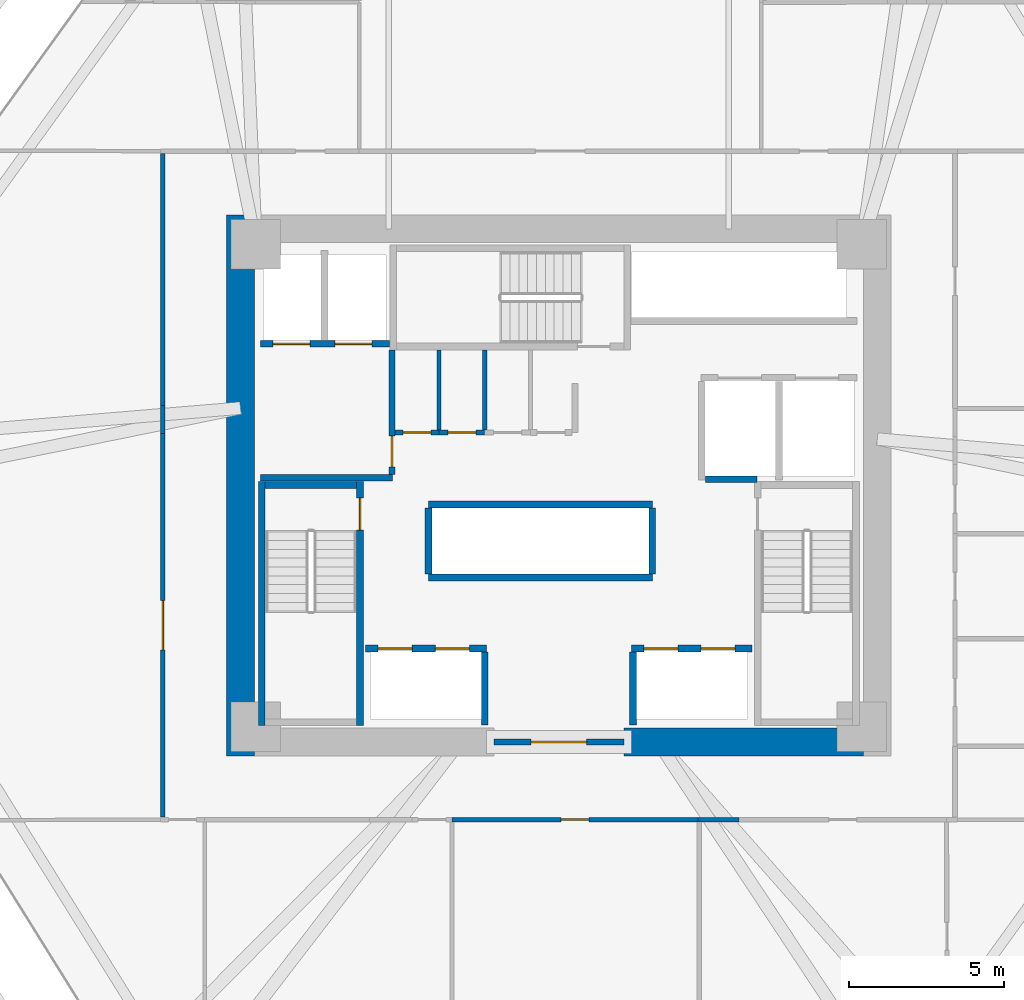
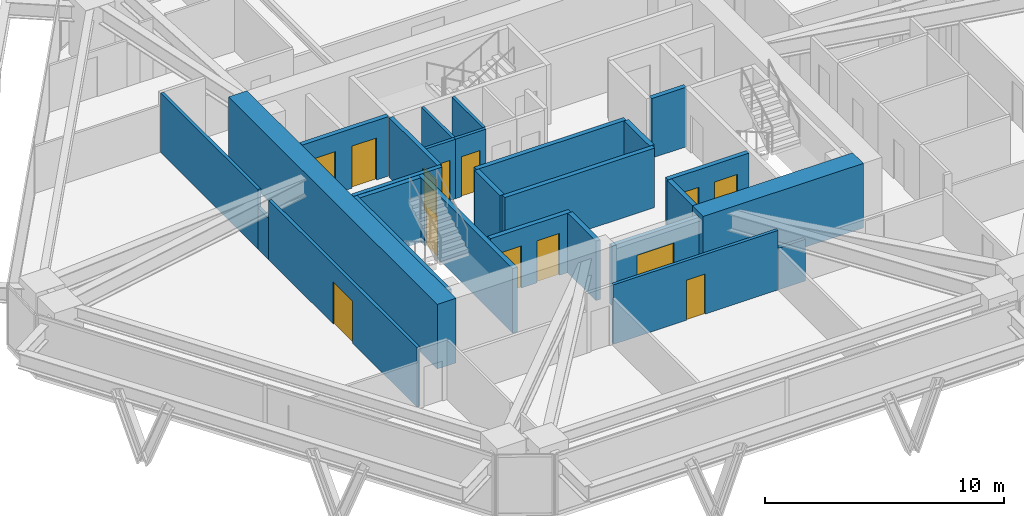
# One storey, part 11 of 15: 27 walls, 13 doors, 13 openings.
"""IFC4 building model written with IfcOpenShell, lengths in metres."""

from ifc_helpers import new_model, si_unit, direction, frame, frame_2d, origin, place, context, subcontext, project, spatial, rectangle, extrude, source, transform, mapped, material, layer, layer_set, type_object, type_shapes, element, fill, save


model = new_model("IFC4")

# Units and contexts
model_context = context("Model", 3, precision=1e-05, world=origin(), true_north=direction((0.0, 1.0)))
body_context = subcontext(model_context, "Body", "Model", "MODEL_VIEW")
ifc_project = project(units=[si_unit("LENGTHUNIT", "METRE"), si_unit("AREAUNIT", "SQUARE_METRE"), si_unit("VOLUMEUNIT", "CUBIC_METRE"), si_unit("PLANEANGLEUNIT", "RADIAN"), si_unit("MASSUNIT", "GRAM", prefix="KILO")], contexts=[model_context])

# Site, building, storey
site_placement = place(None, origin())
site = spatial("IfcSite", under=ifc_project, at=site_placement, CompositionType="ELEMENT")
building_placement = place(site_placement, origin())
building = spatial("IfcBuilding", under=site, at=building_placement, Name="Durnholm Broadcast Tower", CompositionType="ELEMENT")
storey_placement = place(building_placement, frame((0.0, 0.0, 55.5)))
storey = spatial("IfcBuildingStorey", under=building, at=storey_placement, Name="L13", CompositionType="ELEMENT", Elevation=55.5)

# Walls
ifc_material_1 = material(Name="Concrete C70/85", Category="concrete")
ifc_layer_1 = layer(ifc_material_1, 0.89990234375)
ifc_layer_set_1 = layer_set([ifc_layer_1], Name="Concrete C70/85")
wall_type_1 = type_object("IfcWallType", Name="WALL-CW-900", PredefinedType="SHEAR", material=ifc_layer_set_1)
wall_1_placement = place(storey_placement, frame((-10.300048828125, -8.75, 0.0), z_axis=(0.0, 0.0, 1.0), x_axis=(0.0, 1.0, 0.0)))
element("IfcWall", 1, at=wall_1_placement, inside=storey, type_object=wall_type_1, Name="L13 central core shear wall CW-WEST", PredefinedType="SHEAR", context=body_context, shape_type="SweptSolid", body=[
    extrude(rectangle(XDim=17.5, YDim=0.89990234375, at=frame_2d((8.75, 0.0))), origin(), (0.0, 0.0, 1.0), 3.300048828125),
])
wall_2_placement = place(storey_placement, frame((2.10009765625, -8.300048828125, 0.0), z_axis=(0.0, 0.0, 1.0), x_axis=(1.0, 0.0, 0.0)))
element("IfcWall", 2, at=wall_2_placement, inside=storey, type_object=wall_type_1, Name="L13 central core shear wall CW-S2", PredefinedType="SHEAR", context=body_context, shape_type="SweptSolid", body=[
    extrude(rectangle(XDim=7.75, YDim=0.89990234375, at=frame_2d((3.875, 0.0))), origin(), (0.0, 0.0, 1.0), 3.300048828125),
])

# Wall, opening, door
ifc_material_2 = material(Name="Fire-Rated Gypsum Shaftwall", Category="concrete")
ifc_layer_2 = layer(ifc_material_2, 0.199951171875)
ifc_layer_set_2 = layer_set([ifc_layer_2], Name="Fire-Rated Gypsum Shaftwall")
wall_type_2 = type_object("IfcWallType", Name="WALL-LOB-200", PredefinedType="SOLIDWALL", material=ifc_layer_set_2)
wall_3_placement = place(storey_placement, frame((-2.10009765625, -8.300048828125, 0.0), z_axis=(0.0, 0.0, 1.0), x_axis=(1.0, 0.0, 0.0)))
wall_3 = element("IfcWall", 3, at=wall_3_placement, inside=storey, type_object=wall_type_2, Name="L13 south core lobby fire screen", PredefinedType="SOLIDWALL", context=body_context, shape_type="SweptSolid", body=[
    extrude(rectangle(XDim=4.2001953125, YDim=0.199951171875, at=frame_2d((2.10009765625, 0.0))), origin(), (0.0, 0.0, 1.0), 3.044921875),
])
opening_1_placement = place(wall_3_placement, frame((1.199951171875, 0.0, 0.0)))
opening_1 = element("IfcOpeningElement", 4, at=opening_1_placement, cuts=wall_3, Name="Opening DP-60", PredefinedType="OPENING", context=body_context, shape_type="SweptSolid", body=[
    extrude(rectangle(XDim=1.800048828125, YDim=2.14990234375, at=frame_2d((0.89990234375, 1.074951171875))), frame((0.0, 0.10986328125, 0.0), z_axis=(0.0, -1.0, 0.0), x_axis=(1.0, 0.0, 0.0)), (0.0, 0.0, 1.0), 0.219970703125),
])
ifc_material_3 = material(Name="Fire-Rated Double Corridor Door", Category="steel")
ifc_layer_3 = layer(ifc_material_3, 0.050048828125)
ifc_layer_set_3 = layer_set([ifc_layer_3], Name="Fire-Rated Double Corridor Door")
door_type_1 = type_object("IfcDoorType", Name="DOOR-PAIR-FD60", OperationType="DOUBLE_DOOR_SINGLE_SWING", PredefinedType="DOOR", material=ifc_layer_set_3)
shared_shape_1 = source(origin(), body_context, "Body", "SweptSolid", [
    extrude(rectangle(XDim=1.800048828125, YDim=2.14990234375, at=frame_2d((0.89990234375, 1.074951171875))), frame((0.0, 0.02490234375, 0.0), z_axis=(0.0, -1.0, 0.0), x_axis=(1.0, 0.0, 0.0)), (0.0, 0.0, 1.0), 0.050048828125),
])
type_shapes(door_type_1, [shared_shape_1])
door_1_placement = place(opening_1_placement, origin())
door_1 = element("IfcDoor", 5, at=door_1_placement, inside=storey, type_object=door_type_1, Name="L13 south core lobby double fire door", OperationType="DOUBLE_DOOR_SINGLE_SWING", OverallHeight=2.14990234375, OverallWidth=1.800048828125, PredefinedType="DOOR", context=body_context, shape_type="MappedRepresentation", body=[
    mapped(shared_shape_1, transform((0.0, 0.0, 0.0), x_axis=(1.0, 0.0, 0.0), y_axis=(0.0, 1.0, 0.0), z_axis=(0.0, 0.0, 1.0), scale=1.0)),
])
fill(opening_1, door_1)

# Wall
wall_4_placement = place(storey_placement, frame((-9.64990234375, 0.25, 0.0), z_axis=(0.0, 0.0, 1.0), x_axis=(1.0, 0.0, 0.0)))
element("IfcWall", 6, at=wall_4_placement, inside=storey, type_object=wall_type_2, Name="L13 Fire Service Access Elevator lobby south wall", PredefinedType="SOLIDWALL", context=body_context, shape_type="SweptSolid", body=[
    extrude(rectangle(XDim=4.27001953125, YDim=0.199951171875, at=frame_2d((2.135009765625, 0.0))), origin(), (0.0, 0.0, 1.0), 3.044921875),
])

# Wall, opening, door
wall_5_placement = place(storey_placement, frame((-5.39990234375, 0.35400390625, 0.0), z_axis=(0.0, 0.0, 1.0), x_axis=(0.0, 1.0, 0.0)))
wall_5 = element("IfcWall", 7, at=wall_5_placement, inside=storey, type_object=wall_type_2, Name="L13 Fire Service Access Elevator lobby east fire wall", PredefinedType="SOLIDWALL", context=body_context, shape_type="SweptSolid", body=[
    extrude(rectangle(XDim=4.02587890625, YDim=0.199951171875, at=frame_2d((2.012939453125, 0.0))), origin(), (0.0, 0.0, 1.0), 3.044921875),
])
opening_2_placement = place(wall_5_placement, frame((0.24609375, 0.0, 0.0)))
opening_2 = element("IfcOpeningElement", 8, at=opening_2_placement, cuts=wall_5, Name="Opening DL-60R", PredefinedType="OPENING", context=body_context, shape_type="SweptSolid", body=[
    extrude(rectangle(XDim=1.0, YDim=2.14990234375, at=frame_2d((0.5, 1.074951171875))), frame((0.0, 0.10986328125, 0.0), z_axis=(0.0, -1.0, 0.0), x_axis=(1.0, 0.0, 0.0)), (0.0, 0.0, 1.0), 0.219970703125),
])
ifc_material_4 = material(Name="Fire-Rated Timber/Steel Door", Category="steel")
ifc_layer_4 = layer(ifc_material_4, 0.050048828125)
ifc_layer_set_4 = layer_set([ifc_layer_4], Name="Fire-Rated Timber/Steel Door")
door_type_2 = type_object("IfcDoorType", Name="DOOR-LOB-FD60-R", OperationType="NOTDEFINED", PredefinedType="DOOR", material=ifc_layer_set_4)
shared_shape_2 = source(origin(), body_context, "Body", "SweptSolid", [
    extrude(rectangle(XDim=1.0, YDim=2.14990234375, at=frame_2d((0.5, 1.074951171875))), frame((0.0, 0.02490234375, 0.0), z_axis=(0.0, -1.0, 0.0), x_axis=(1.0, 0.0, 0.0)), (0.0, 0.0, 1.0), 0.050048828125),
])
type_shapes(door_type_2, [shared_shape_2])
door_2_placement = place(opening_2_placement, origin())
door_2 = element("IfcDoor", 9, at=door_2_placement, inside=storey, type_object=door_type_2, Name="L13 Fire Service Access Elevator lobby smoke door", OperationType="SINGLE_SWING_RIGHT", OverallHeight=2.14990234375, OverallWidth=1.0, PredefinedType="DOOR", context=body_context, shape_type="MappedRepresentation", body=[
    mapped(shared_shape_2, transform((0.0, 0.0, 0.0), x_axis=(1.0, 0.0, 0.0), y_axis=(0.0, 1.0, 0.0), z_axis=(0.0, 0.0, 1.0), scale=1.0)),
])
fill(opening_2, door_2)

# Walls
ifc_material_5 = material(Name="Gypsum Metal Stud Partition", Category="concrete")
ifc_layer_5 = layer(ifc_material_5, 0.135009765625)
ifc_layer_set_5 = layer_set([ifc_layer_5], Name="Gypsum Metal Stud Partition")
wall_type_3 = type_object("IfcWallType", Name="WALL-PART-135", PredefinedType="PARTITIONING", material=ifc_layer_set_5)
for number, where, z_axis, x_axis, name in (
    (10, (-3.8798828125, 4.375, 0.0), (0.0, 0.0, 1.0), (0.0, -1.0, 0.0), "L13 room dividing partition 1.2"),
    (11, (-2.39990234375, 4.375, 0.0), (0.0, 0.0, 1.0), (0.0, -1.0, 0.0), "L13 room dividing partition 2.3"),
):
    element("IfcWall", number, at=place(storey_placement, frame(where, z_axis=z_axis, x_axis=x_axis)), inside=storey, type_object=wall_type_3, Name=name, PredefinedType="PARTITIONING", context=body_context, shape_type="SweptSolid", body=[
        extrude(rectangle(XDim=2.5859375, YDim=0.135009765625, at=frame_2d((1.29296875, 0.0))), origin(), (0.0, 0.0, 1.0), 3.044921875),
    ])

# Wall, opening, door
ifc_material_6 = material(Name="Acoustic Gypsum Stud Partition", Category="concrete")
ifc_layer_6 = layer(ifc_material_6, 0.14990234375)
ifc_layer_set_6 = layer_set([ifc_layer_6], Name="Acoustic Gypsum Stud Partition")
wall_type_4 = type_object("IfcWallType", Name="WALL-PART-150", PredefinedType="PARTITIONING", material=ifc_layer_set_6)
wall_6_placement = place(storey_placement, frame((-3.8798828125, 1.7099609375, 0.0), z_axis=(0.0, 0.0, 1.0), x_axis=(-1.0, 0.0, 0.0)))
wall_6 = element("IfcWall", 12, at=wall_6_placement, inside=storey, type_object=wall_type_4, Name="L13 Core First Aid Store corridor partition", PredefinedType="PARTITIONING", context=body_context, shape_type="SweptSolid", body=[
    extrude(rectangle(XDim=1.416015625, YDim=0.14990234375, at=frame_2d((0.7080078125, 0.0))), origin(), (0.0, 0.0, 1.0), 3.044921875),
])
opening_3_placement = place(wall_6_placement, frame((0.258056640625, 0.0, 0.0)))
opening_3 = element("IfcOpeningElement", 13, at=opening_3_placement, cuts=wall_6, Name="Opening DC-60L", PredefinedType="OPENING", context=body_context, shape_type="SweptSolid", body=[
    extrude(rectangle(XDim=0.89990234375, YDim=2.050048828125, at=frame_2d((0.449951171875, 1.02490234375))), frame((0.0, 0.0849609375, 0.0), z_axis=(0.0, -1.0, 0.0), x_axis=(1.0, 0.0, 0.0)), (0.0, 0.0, 1.0), 0.169921875),
])
ifc_material_7 = material(Name="Fire-Rated Core Service Door", Category="steel")
ifc_layer_7 = layer(ifc_material_7, 0.050048828125)
ifc_layer_set_7 = layer_set([ifc_layer_7], Name="Fire-Rated Core Service Door")
door_type_3 = type_object("IfcDoorType", Name="DOOR-CORE-FD60-L", OperationType="NOTDEFINED", PredefinedType="DOOR", material=ifc_layer_set_7)
shared_shape_3 = source(origin(), body_context, "Body", "SweptSolid", [
    extrude(rectangle(XDim=0.89990234375, YDim=2.050048828125, at=frame_2d((0.449951171875, 1.02490234375))), frame((0.0, 0.02490234375, 0.0), z_axis=(0.0, -1.0, 0.0), x_axis=(1.0, 0.0, 0.0)), (0.0, 0.0, 1.0), 0.050048828125),
])
type_shapes(door_type_3, [shared_shape_3])
door_3_placement = place(opening_3_placement, origin())
door_3 = element("IfcDoor", 14, at=door_3_placement, inside=storey, type_object=door_type_3, Name="L13 Core First Aid Store entrance door", OperationType="SINGLE_SWING_LEFT", OverallHeight=2.050048828125, OverallWidth=0.89990234375, PredefinedType="DOOR", context=body_context, shape_type="MappedRepresentation", body=[
    mapped(shared_shape_3, transform((0.0, 0.0, 0.0), x_axis=(1.0, 0.0, 0.0), y_axis=(0.0, 1.0, 0.0), z_axis=(0.0, 0.0, 1.0), scale=1.0)),
])
fill(opening_3, door_3)

wall_7_placement = place(storey_placement, frame((-2.39990234375, 1.7099609375, 0.0), z_axis=(0.0, 0.0, 1.0), x_axis=(-1.0, 0.0, 0.0)))
wall_7 = element("IfcWall", 15, at=wall_7_placement, inside=storey, type_object=wall_type_4, Name="L13 Core Linen Supply Closet corridor partition", PredefinedType="PARTITIONING", context=body_context, shape_type="SweptSolid", body=[
    extrude(rectangle(XDim=1.47998046875, YDim=0.14990234375, at=frame_2d((0.739990234375, 0.0))), origin(), (0.0, 0.0, 1.0), 3.044921875),
])
opening_4_placement = place(wall_7_placement, frame((0.2900390625, 0.0, 0.0)))
opening_4 = element("IfcOpeningElement", 16, at=opening_4_placement, cuts=wall_7, Name="Opening DC-60R", PredefinedType="OPENING", context=body_context, shape_type="SweptSolid", body=[
    extrude(rectangle(XDim=0.89990234375, YDim=2.050048828125, at=frame_2d((0.449951171875, 1.02490234375))), frame((0.0, 0.0849609375, 0.0), z_axis=(0.0, -1.0, 0.0), x_axis=(1.0, 0.0, 0.0)), (0.0, 0.0, 1.0), 0.169921875),
])
ifc_layer_8 = layer(ifc_material_7, 0.050048828125)
ifc_layer_set_8 = layer_set([ifc_layer_8], Name="Fire-Rated Core Service Door")
door_type_4 = type_object("IfcDoorType", Name="DOOR-CORE-FD60-R", OperationType="NOTDEFINED", PredefinedType="DOOR", material=ifc_layer_set_8)
shared_shape_4 = source(origin(), body_context, "Body", "SweptSolid", [
    extrude(rectangle(XDim=0.89990234375, YDim=2.050048828125, at=frame_2d((0.449951171875, 1.02490234375))), frame((0.0, 0.02490234375, 0.0), z_axis=(0.0, -1.0, 0.0), x_axis=(1.0, 0.0, 0.0)), (0.0, 0.0, 1.0), 0.050048828125),
])
type_shapes(door_type_4, [shared_shape_4])
door_4_placement = place(opening_4_placement, origin())
door_4 = element("IfcDoor", 17, at=door_4_placement, inside=storey, type_object=door_type_4, Name="L13 Core Linen Supply Closet entrance door", OperationType="SINGLE_SWING_RIGHT", OverallHeight=2.050048828125, OverallWidth=0.89990234375, PredefinedType="DOOR", context=body_context, shape_type="MappedRepresentation", body=[
    mapped(shared_shape_4, transform((0.0, 0.0, 0.0), x_axis=(1.0, 0.0, 0.0), y_axis=(0.0, 1.0, 0.0), z_axis=(0.0, 0.0, 1.0), scale=1.0)),
])
fill(opening_4, door_4)

wall_8_placement = place(storey_placement, frame((-3.4599609375, -10.81005859375, 0.0), z_axis=(0.0, 0.0, 1.0), x_axis=(1.0, 0.0, 0.0)))
wall_8 = element("IfcWall", 18, at=wall_8_placement, inside=storey, type_object=wall_type_4, Name="L13 Field Gear Store corridor partition", PredefinedType="PARTITIONING", context=body_context, shape_type="SweptSolid", body=[
    extrude(rectangle(XDim=7.959228515625, YDim=0.14990234375, at=frame_2d((3.9794921875, 0.0))), origin(), (0.0, 0.0, 1.0), 3.044921875),
])
opening_5_placement = place(wall_8_placement, frame((3.529541015625, 0.0, 0.0)))
opening_5 = element("IfcOpeningElement", 19, at=opening_5_placement, cuts=wall_8, Name="Opening DC-60L", PredefinedType="OPENING", context=body_context, shape_type="SweptSolid", body=[
    extrude(rectangle(XDim=0.89990234375, YDim=2.050048828125, at=frame_2d((0.449951171875, 1.02490234375))), frame((0.0, 0.0849609375, 0.0), z_axis=(0.0, -1.0, 0.0), x_axis=(1.0, 0.0, 0.0)), (0.0, 0.0, 1.0), 0.169921875),
])
door_5_placement = place(opening_5_placement, origin())
door_5 = element("IfcDoor", 20, at=door_5_placement, inside=storey, type_object=door_type_3, Name="L13 Field Gear Store entrance door", OperationType="SINGLE_SWING_LEFT", OverallHeight=2.050048828125, OverallWidth=0.89990234375, PredefinedType="DOOR", context=body_context, shape_type="MappedRepresentation", body=[
    mapped(shared_shape_3, transform((0.0, 0.0, 0.0), x_axis=(1.0, 0.0, 0.0), y_axis=(0.0, 1.0, 0.0), z_axis=(0.0, 0.0, 1.0), scale=1.0)),
])
fill(opening_5, door_5)

# Walls
wall_9_placement = place(storey_placement, frame((4.499267578125, -10.81005859375, 0.0), z_axis=(0.0, 0.0, 1.0), x_axis=(1.0, 0.0, 0.0)))
element("IfcWall", 21, at=wall_9_placement, inside=storey, type_object=wall_type_4, Name="L13 Open Plan Broadcast Workspace 4 corridor partition", PredefinedType="PARTITIONING", context=body_context, shape_type="SweptSolid", body=[
    extrude(rectangle(XDim=1.318115234375, YDim=0.14990234375, at=frame_2d((0.6591796875, 0.0))), origin(), (0.0, 0.0, 1.0), 2.130126953125),
])
wall_10_placement = place(storey_placement, frame((-12.81005859375, 10.73095703125, 0.0), z_axis=(0.0, 0.0, 1.0), x_axis=(0.0, -1.0, 0.0)))
element("IfcWall", 22, at=wall_10_placement, inside=storey, type_object=wall_type_4, Name="L13 Documentary Screening Hall corridor partition", PredefinedType="PARTITIONING", context=body_context, shape_type="SweptSolid", body=[
    extrude(rectangle(XDim=8.138671875, YDim=0.14990234375, at=frame_2d((4.0693359375, 0.0))), origin(), (0.0, 0.0, 1.0), 3.044921875),
])

# Wall, opening, door
wall_11_placement = place(storey_placement, frame((-12.81005859375, 1.682373046875, 0.0), z_axis=(0.0, 0.0, 1.0), x_axis=(0.0, -1.0, 0.0)))
wall_11 = element("IfcWall", 23, at=wall_11_placement, inside=storey, type_object=wall_type_4, Name="L13 Documentary Screening Hall corridor partition", PredefinedType="PARTITIONING", context=body_context, shape_type="SweptSolid", body=[
    extrude(rectangle(XDim=12.413330078125, YDim=0.14990234375, at=frame_2d((6.20654296875, 0.0))), origin(), (0.0, 0.0, 1.0), 3.044921875),
])
opening_6_placement = place(wall_11_placement, frame((5.406494140625, 0.0, 0.0)))
opening_6 = element("IfcOpeningElement", 24, at=opening_6_placement, cuts=wall_11, Name="Opening DST-160", PredefinedType="OPENING", context=body_context, shape_type="SweptSolid", body=[
    extrude(rectangle(XDim=1.60009765625, YDim=2.14990234375, at=frame_2d((0.800048828125, 1.074951171875))), frame((0.0, 0.0849609375, 0.0), z_axis=(0.0, -1.0, 0.0), x_axis=(1.0, 0.0, 0.0)), (0.0, 0.0, 1.0), 0.169921875),
])
ifc_material_8 = material(Name="Acoustic Broadcast Studio Sound-Lock Door", Category="steel")
ifc_layer_9 = layer(ifc_material_8, 0.050048828125)
ifc_layer_set_9 = layer_set([ifc_layer_9], Name="Acoustic Broadcast Studio Sound-Lock Door")
door_type_5 = type_object("IfcDoorType", Name="DOOR-STU-1600", OperationType="DOUBLE_DOOR_SINGLE_SWING", PredefinedType="DOOR", material=ifc_layer_set_9)
shared_shape_5 = source(origin(), body_context, "Body", "SweptSolid", [
    extrude(rectangle(XDim=1.60009765625, YDim=2.14990234375, at=frame_2d((0.800048828125, 1.074951171875))), frame((0.0, 0.02490234375, 0.0), z_axis=(0.0, -1.0, 0.0), x_axis=(1.0, 0.0, 0.0)), (0.0, 0.0, 1.0), 0.050048828125),
])
type_shapes(door_type_5, [shared_shape_5])
door_6_placement = place(opening_6_placement, origin())
door_6 = element("IfcDoor", 25, at=door_6_placement, inside=storey, type_object=door_type_5, Name="L13 Documentary Screening Hall entrance door", OperationType="DOUBLE_DOOR_SINGLE_SWING", OverallHeight=2.14990234375, OverallWidth=1.60009765625, PredefinedType="DOOR", context=body_context, shape_type="MappedRepresentation", body=[
    mapped(shared_shape_5, transform((0.0, 0.0, 0.0), x_axis=(1.0, 0.0, 0.0), y_axis=(0.0, 1.0, 0.0), z_axis=(0.0, 0.0, 1.0), scale=1.0)),
])
fill(opening_6, door_6)

# Wall
wall_12_placement = place(storey_placement, frame((-12.81005859375, 2.59228515625, 0.0), z_axis=(0.0, 0.0, 1.0), x_axis=(0.0, -1.0, 0.0)))
element("IfcWall", 26, at=wall_12_placement, inside=storey, type_object=wall_type_4, Name="L13 Documentary Screening Hall corridor partition", PredefinedType="PARTITIONING", context=body_context, shape_type="SweptSolid", body=[
    extrude(rectangle(XDim=0.909912109375, YDim=0.14990234375, at=frame_2d((0.455078125, 0.0))), origin(), (0.0, 0.0, 1.0), 2.130126953125),
])

# Wall, openings, doors
ifc_material_9 = material(Name="Concrete Blockwork C30/37", Category="masonry")
ifc_layer_10 = layer(ifc_material_9, 0.219970703125)
ifc_layer_set_10 = layer_set([ifc_layer_10], Name="Concrete Blockwork C30/37")
wall_type_5 = type_object("IfcWallType", Name="WALL-SHAFT-220", PredefinedType="SOLIDWALL", material=ifc_layer_set_10)
wall_13_placement = place(storey_placement, frame((-9.64990234375, 4.580078125, 0.0), z_axis=(0.0, 0.0, 1.0), x_axis=(1.0, 0.0, 0.0)))
wall_13 = element("IfcWall", 27, at=wall_13_placement, inside=storey, type_object=wall_type_5, Name="L13 FSAE hoistway front fire wall", PredefinedType="SOLIDWALL", context=body_context, shape_type="SweptSolid", body=[
    extrude(rectangle(XDim=4.1748046875, YDim=0.219970703125, at=frame_2d((2.08740234375, 0.0))), origin(), (0.0, 0.0, 1.0), 3.044921875),
])
opening_7_placement = place(wall_13_placement, frame((0.39990234375, 0.0, 0.0)))
opening_7 = element("IfcOpeningElement", 28, at=opening_7_placement, cuts=wall_13, Name="Opening LD-FSAE-2", PredefinedType="OPENING", context=body_context, shape_type="SweptSolid", body=[
    extrude(rectangle(XDim=1.199951171875, YDim=2.14990234375, at=frame_2d((0.60009765625, 1.074951171875))), frame((0.0, 0.1201171875, 0.0), z_axis=(0.0, -1.0, 0.0), x_axis=(1.0, 0.0, 0.0)), (0.0, 0.0, 1.0), 0.239990234375),
])
opening_8_placement = place(wall_13_placement, frame((2.39990234375, 0.0, 0.0)))
opening_8 = element("IfcOpeningElement", 29, at=opening_8_placement, cuts=wall_13, Name="Opening LD-FSAE-1", PredefinedType="OPENING", context=body_context, shape_type="SweptSolid", body=[
    extrude(rectangle(XDim=1.199951171875, YDim=2.14990234375, at=frame_2d((0.60009765625, 1.074951171875))), frame((0.0, 0.1201171875, 0.0), z_axis=(0.0, -1.0, 0.0), x_axis=(1.0, 0.0, 0.0)), (0.0, 0.0, 1.0), 0.239990234375),
])
ifc_material_10 = material(Name="Fire Service Access Sliding Landing Door", Category="steel")
ifc_layer_11 = layer(ifc_material_10, 0.050048828125)
ifc_layer_set_11 = layer_set([ifc_layer_11], Name="Fire Service Access Sliding Landing Door")
door_type_6 = type_object("IfcDoorType", Name="DOOR-LIFT-FSAE", OperationType="DOUBLE_DOOR_SLIDING", PredefinedType="DOOR", material=ifc_layer_set_11)
shared_shape_6 = source(origin(), body_context, "Body", "SweptSolid", [
    extrude(rectangle(XDim=1.199951171875, YDim=2.14990234375, at=frame_2d((0.60009765625, 1.074951171875))), frame((0.0, 0.02490234375, 0.0), z_axis=(0.0, -1.0, 0.0), x_axis=(1.0, 0.0, 0.0)), (0.0, 0.0, 1.0), 0.050048828125),
])
type_shapes(door_type_6, [shared_shape_6])
door_7_placement = place(opening_7_placement, origin())
door_7 = element("IfcDoor", 30, at=door_7_placement, inside=storey, type_object=door_type_6, Name="L13 Fire Service Access Elevator FSAE-2 sliding landing door", OperationType="DOUBLE_DOOR_SLIDING", OverallHeight=2.14990234375, OverallWidth=1.199951171875, PredefinedType="DOOR", context=body_context, shape_type="MappedRepresentation", body=[
    mapped(shared_shape_6, transform((0.0, 0.0, 0.0), x_axis=(1.0, 0.0, 0.0), y_axis=(0.0, 1.0, 0.0), z_axis=(0.0, 0.0, 1.0), scale=1.0)),
])
fill(opening_7, door_7)
door_8_placement = place(opening_8_placement, origin())
door_8 = element("IfcDoor", 31, at=door_8_placement, inside=storey, type_object=door_type_6, Name="L13 Fire Service Access Elevator FSAE-1 sliding landing door", OperationType="DOUBLE_DOOR_SLIDING", OverallHeight=2.14990234375, OverallWidth=1.199951171875, PredefinedType="DOOR", context=body_context, shape_type="MappedRepresentation", body=[
    mapped(shared_shape_6, transform((0.0, 0.0, 0.0), x_axis=(1.0, 0.0, 0.0), y_axis=(0.0, 1.0, 0.0), z_axis=(0.0, 0.0, 1.0), scale=1.0)),
])
fill(opening_8, door_8)

# Wall
wall_14_placement = place(storey_placement, frame((4.73388671875, 0.199951171875, 0.0), z_axis=(0.0, 0.0, 1.0), x_axis=(1.0, 0.0, 0.0)))
element("IfcWall", 32, at=wall_14_placement, inside=storey, type_object=wall_type_5, Name="L13 freight service lift SVL-2 south wall", PredefinedType="SOLIDWALL", context=body_context, shape_type="SweptSolid", body=[
    extrude(rectangle(XDim=1.666015625, YDim=0.219970703125, at=frame_2d((0.8330078125, 0.0))), origin(), (0.0, 0.0, 1.0), 3.044921875),
])

# Wall, openings, doors
wall_15_placement = place(storey_placement, frame((-6.25, -5.280029296875, 0.0), z_axis=(0.0, 0.0, 1.0), x_axis=(1.0, 0.0, 0.0)))
wall_15 = element("IfcWall", 33, at=wall_15_placement, inside=storey, type_object=wall_type_5, Name="L13 low-rise bank P1 west front wall", PredefinedType="SOLIDWALL", context=body_context, shape_type="SweptSolid", body=[
    extrude(rectangle(XDim=3.89990234375, YDim=0.219970703125, at=frame_2d((1.949951171875, 0.0))), origin(), (0.0, 0.0, 1.0), 3.044921875),
])
opening_9_placement = place(wall_15_placement, frame((0.39990234375, 0.0, 0.0)))
opening_9 = element("IfcOpeningElement", 34, at=opening_9_placement, cuts=wall_15, Name="Opening LD-LP1-1", PredefinedType="OPENING", context=body_context, shape_type="SweptSolid", body=[
    extrude(rectangle(XDim=1.10009765625, YDim=2.14990234375, at=frame_2d((0.550048828125, 1.074951171875))), frame((0.0, 0.1201171875, 0.0), z_axis=(0.0, -1.0, 0.0), x_axis=(1.0, 0.0, 0.0)), (0.0, 0.0, 1.0), 0.239990234375),
])
opening_10_placement = place(wall_15_placement, frame((2.25, 0.0, 0.0)))
opening_10 = element("IfcOpeningElement", 35, at=opening_10_placement, cuts=wall_15, Name="Opening LD-LP1-2", PredefinedType="OPENING", context=body_context, shape_type="SweptSolid", body=[
    extrude(rectangle(XDim=1.10009765625, YDim=2.14990234375, at=frame_2d((0.550048828125, 1.074951171875))), frame((0.0, 0.1201171875, 0.0), z_axis=(0.0, -1.0, 0.0), x_axis=(1.0, 0.0, 0.0)), (0.0, 0.0, 1.0), 0.239990234375),
])
ifc_material_11 = material(Name="Stainless Steel Sliding Elevator Landing Door", Category="steel")
ifc_layer_12 = layer(ifc_material_11, 0.050048828125)
ifc_layer_set_12 = layer_set([ifc_layer_12], Name="Stainless Steel Sliding Elevator Landing Door")
door_type_7 = type_object("IfcDoorType", Name="DOOR-LIFT-PAX", OperationType="DOUBLE_DOOR_SLIDING", PredefinedType="DOOR", material=ifc_layer_set_12)
shared_shape_7 = source(origin(), body_context, "Body", "SweptSolid", [
    extrude(rectangle(XDim=1.10009765625, YDim=2.14990234375, at=frame_2d((0.550048828125, 1.074951171875))), frame((0.0, 0.02490234375, 0.0), z_axis=(0.0, -1.0, 0.0), x_axis=(1.0, 0.0, 0.0)), (0.0, 0.0, 1.0), 0.050048828125),
])
type_shapes(door_type_7, [shared_shape_7])
door_9_placement = place(opening_9_placement, origin())
door_9 = element("IfcDoor", 36, at=door_9_placement, inside=storey, type_object=door_type_7, Name="L13 passenger elevator LP1-1 sliding landing door", OperationType="DOUBLE_DOOR_SLIDING", OverallHeight=2.14990234375, OverallWidth=1.10009765625, PredefinedType="DOOR", context=body_context, shape_type="MappedRepresentation", body=[
    mapped(shared_shape_7, transform((0.0, 0.0, 0.0), x_axis=(1.0, 0.0, 0.0), y_axis=(0.0, 1.0, 0.0), z_axis=(0.0, 0.0, 1.0), scale=1.0)),
])
fill(opening_9, door_9)
door_10_placement = place(opening_10_placement, origin())
door_10 = element("IfcDoor", 37, at=door_10_placement, inside=storey, type_object=door_type_7, Name="L13 passenger elevator LP1-2 sliding landing door", OperationType="DOUBLE_DOOR_SLIDING", OverallHeight=2.14990234375, OverallWidth=1.10009765625, PredefinedType="DOOR", context=body_context, shape_type="MappedRepresentation", body=[
    mapped(shared_shape_7, transform((0.0, 0.0, 0.0), x_axis=(1.0, 0.0, 0.0), y_axis=(0.0, 1.0, 0.0), z_axis=(0.0, 0.0, 1.0), scale=1.0)),
])
fill(opening_10, door_10)

wall_16_placement = place(storey_placement, frame((2.35009765625, -5.280029296875, 0.0), z_axis=(0.0, 0.0, 1.0), x_axis=(1.0, 0.0, 0.0)))
wall_16 = element("IfcWall", 38, at=wall_16_placement, inside=storey, type_object=wall_type_5, Name="L13 low-rise bank P1 east front wall", PredefinedType="SOLIDWALL", context=body_context, shape_type="SweptSolid", body=[
    extrude(rectangle(XDim=3.89990234375, YDim=0.219970703125, at=frame_2d((1.949951171875, 0.0))), origin(), (0.0, 0.0, 1.0), 3.044921875),
])
opening_11_placement = place(wall_16_placement, frame((0.39990234375, 0.0, 0.0)))
opening_11 = element("IfcOpeningElement", 39, at=opening_11_placement, cuts=wall_16, Name="Opening LD-LP1-3", PredefinedType="OPENING", context=body_context, shape_type="SweptSolid", body=[
    extrude(rectangle(XDim=1.10009765625, YDim=2.14990234375, at=frame_2d((0.550048828125, 1.074951171875))), frame((0.0, 0.1201171875, 0.0), z_axis=(0.0, -1.0, 0.0), x_axis=(1.0, 0.0, 0.0)), (0.0, 0.0, 1.0), 0.239990234375),
])
opening_12_placement = place(wall_16_placement, frame((2.25, 0.0, 0.0)))
opening_12 = element("IfcOpeningElement", 40, at=opening_12_placement, cuts=wall_16, Name="Opening LD-LP1-4", PredefinedType="OPENING", context=body_context, shape_type="SweptSolid", body=[
    extrude(rectangle(XDim=1.10009765625, YDim=2.14990234375, at=frame_2d((0.550048828125, 1.074951171875))), frame((0.0, 0.1201171875, 0.0), z_axis=(0.0, -1.0, 0.0), x_axis=(1.0, 0.0, 0.0)), (0.0, 0.0, 1.0), 0.239990234375),
])
door_11_placement = place(opening_11_placement, origin())
door_11 = element("IfcDoor", 41, at=door_11_placement, inside=storey, type_object=door_type_7, Name="L13 passenger elevator LP1-3 sliding landing door", OperationType="DOUBLE_DOOR_SLIDING", OverallHeight=2.14990234375, OverallWidth=1.10009765625, PredefinedType="DOOR", context=body_context, shape_type="MappedRepresentation", body=[
    mapped(shared_shape_7, transform((0.0, 0.0, 0.0), x_axis=(1.0, 0.0, 0.0), y_axis=(0.0, 1.0, 0.0), z_axis=(0.0, 0.0, 1.0), scale=1.0)),
])
fill(opening_11, door_11)
door_12_placement = place(opening_12_placement, origin())
door_12 = element("IfcDoor", 42, at=door_12_placement, inside=storey, type_object=door_type_7, Name="L13 passenger elevator LP1-4 sliding landing door", OperationType="DOUBLE_DOOR_SLIDING", OverallHeight=2.14990234375, OverallWidth=1.10009765625, PredefinedType="DOOR", context=body_context, shape_type="MappedRepresentation", body=[
    mapped(shared_shape_7, transform((0.0, 0.0, 0.0), x_axis=(1.0, 0.0, 0.0), y_axis=(0.0, 1.0, 0.0), z_axis=(0.0, 0.0, 1.0), scale=1.0)),
])
fill(opening_12, door_12)

# Walls
for number, where, z_axis, x_axis, name in (
    (43, (-2.39990234375, -7.75, 0.0), (0.0, 0.0, 1.0), (0.0, 1.0, 0.0), "L13 low-rise bank P1 west mouth wall"),
    (44, (2.39990234375, -7.75, 0.0), (0.0, 0.0, 1.0), (0.0, 1.0, 0.0), "L13 low-rise bank P1 east mouth wall"),
):
    element("IfcWall", number, at=place(storey_placement, frame(where, z_axis=z_axis, x_axis=x_axis)), inside=storey, type_object=wall_type_5, Name=name, PredefinedType="SOLIDWALL", context=body_context, shape_type="SweptSolid", body=[
        extrude(rectangle(XDim=2.35595703125, YDim=0.219970703125, at=frame_2d((1.177978515625, 0.0))), origin(), (0.0, 0.0, 1.0), 3.044921875),
    ])
for number, where, z_axis, x_axis, name in (
    (45, (-4.219970703125, -2.97998046875, 0.0), (0.0, 0.0, 1.0), (1.0, 0.0, 0.0), "L13 mid-rise bank P2 south front wall"),
    (46, (-4.219970703125, -0.6201171875, 0.0), (0.0, 0.0, 1.0), (1.0, 0.0, 0.0), "L13 mid-rise bank P2 north shaft wall"),
):
    element("IfcWall", number, at=place(storey_placement, frame(where, z_axis=z_axis, x_axis=x_axis)), inside=storey, type_object=wall_type_5, Name=name, PredefinedType="SOLIDWALL", context=body_context, shape_type="SweptSolid", body=[
        extrude(rectangle(XDim=7.239990234375, YDim=0.219970703125, at=frame_2d((3.6201171875, 0.0))), origin(), (0.0, 0.0, 1.0), 3.044921875),
    ])
for number, where, z_axis, x_axis, name in (
    (47, (-4.219970703125, -2.865966796875, 0.0), (0.0, 0.0, 1.0), (0.0, 1.0, 0.0), "L13 mid-rise bank P2 west shaft wall"),
    (48, (3.02001953125, -2.865966796875, 0.0), (0.0, 0.0, 1.0), (0.0, 1.0, 0.0), "L13 mid-rise bank P2 east shaft wall"),
):
    element("IfcWall", number, at=place(storey_placement, frame(where, z_axis=z_axis, x_axis=x_axis)), inside=storey, type_object=wall_type_5, Name=name, PredefinedType="SOLIDWALL", context=body_context, shape_type="SweptSolid", body=[
        extrude(rectangle(XDim=2.132080078125, YDim=0.219970703125, at=frame_2d((1.06591796875, 0.0))), origin(), (0.0, 0.0, 1.0), 3.044921875),
    ])

# Wall, opening, door
ifc_material_12 = material(Name="Concrete C50/60", Category="concrete")
ifc_layer_13 = layer(ifc_material_12, 0.219970703125)
ifc_layer_set_13 = layer_set([ifc_layer_13], Name="Concrete C50/60")
wall_type_6 = type_object("IfcWallType", Name="WALL-SW-220", PredefinedType="SHEAR", material=ifc_layer_set_13)
wall_17_placement = place(storey_placement, frame((-6.429931640625, -7.77001953125, -0.239990234375), z_axis=(0.0, 0.0, 1.0), x_axis=(0.0, 1.0, 0.0)))
wall_17 = element("IfcWall", 49, at=wall_17_placement, inside=storey, type_object=wall_type_6, Name="L13 stair ST-1 structural shaft wall E", PredefinedType="SHEAR", context=body_context, shape_type="SweptSolid", body=[
    extrude(rectangle(XDim=7.89013671875, YDim=0.219970703125, at=frame_2d((3.945068359375, 0.0))), origin(), (0.0, 0.0, 1.0), 3.300048828125),
])
opening_13_placement = place(wall_17_placement, frame((6.320068359375, 0.0, 0.0)))
opening_13 = element("IfcOpeningElement", 50, at=opening_13_placement, cuts=wall_17, Name="Opening DS-90L", PredefinedType="OPENING", context=body_context, shape_type="SweptSolid", body=[
    extrude(rectangle(XDim=1.050048828125, YDim=2.14990234375, at=frame_2d((0.52490234375, 1.074951171875))), frame((0.0, 0.1201171875, 0.0), z_axis=(0.0, -1.0, 0.0), x_axis=(1.0, 0.0, 0.0)), (0.0, 0.0, 1.0), 0.239990234375),
])
ifc_material_13 = material(Name="Fire-Rated Steel Door", Category="steel")
ifc_layer_14 = layer(ifc_material_13, 0.050048828125)
ifc_layer_set_14 = layer_set([ifc_layer_14], Name="Fire-Rated Steel Door")
door_type_8 = type_object("IfcDoorType", Name="DOOR-ST-FD90-L", OperationType="NOTDEFINED", PredefinedType="DOOR", material=ifc_layer_set_14)
shared_shape_8 = source(origin(), body_context, "Body", "SweptSolid", [
    extrude(rectangle(XDim=1.050048828125, YDim=2.14990234375, at=frame_2d((0.52490234375, 1.074951171875))), frame((0.0, 0.02490234375, 0.0), z_axis=(0.0, -1.0, 0.0), x_axis=(1.0, 0.0, 0.0)), (0.0, 0.0, 1.0), 0.050048828125),
])
type_shapes(door_type_8, [shared_shape_8])
door_13_placement = place(opening_13_placement, origin())
door_13 = element("IfcDoor", 51, at=door_13_placement, inside=storey, type_object=door_type_8, Name="L13 exit stair ST-1 fire door", OperationType="SINGLE_SWING_LEFT", OverallHeight=2.14990234375, OverallWidth=1.050048828125, PredefinedType="DOOR", context=body_context, shape_type="MappedRepresentation", body=[
    mapped(shared_shape_8, transform((0.0, 0.0, 0.0), x_axis=(1.0, 0.0, 0.0), y_axis=(0.0, 1.0, 0.0), z_axis=(0.0, 0.0, 1.0), scale=1.0)),
])
fill(opening_13, door_13)

# Walls
wall_18_placement = place(storey_placement, frame((-9.610107421875, 0.1201171875, -0.239990234375), z_axis=(0.0, 0.0, 1.0), x_axis=(0.0, -1.0, 0.0)))
element("IfcWall", 52, at=wall_18_placement, inside=storey, type_object=wall_type_6, Name="L13 stair ST-1 structural shaft wall W", PredefinedType="SHEAR", context=body_context, shape_type="SweptSolid", body=[
    extrude(rectangle(XDim=7.89013671875, YDim=0.219970703125, at=frame_2d((3.945068359375, 0.0))), origin(), (0.0, 0.0, 1.0), 3.300048828125),
])
wall_19_placement = place(storey_placement, frame((-6.5400390625, 0.010009765625, -0.239990234375), z_axis=(0.0, 0.0, 1.0), x_axis=(-1.0, 0.0, 0.0)))
element("IfcWall", 53, at=wall_19_placement, inside=storey, type_object=wall_type_6, Name="L13 stair ST-1 structural shaft wall N", PredefinedType="SHEAR", context=body_context, shape_type="SweptSolid", body=[
    extrude(rectangle(XDim=2.9599609375, YDim=0.219970703125, at=frame_2d((1.47998046875, 0.0))), origin(), (0.0, 0.0, 1.0), 3.300048828125),
])

save(model, "model.ifc")
